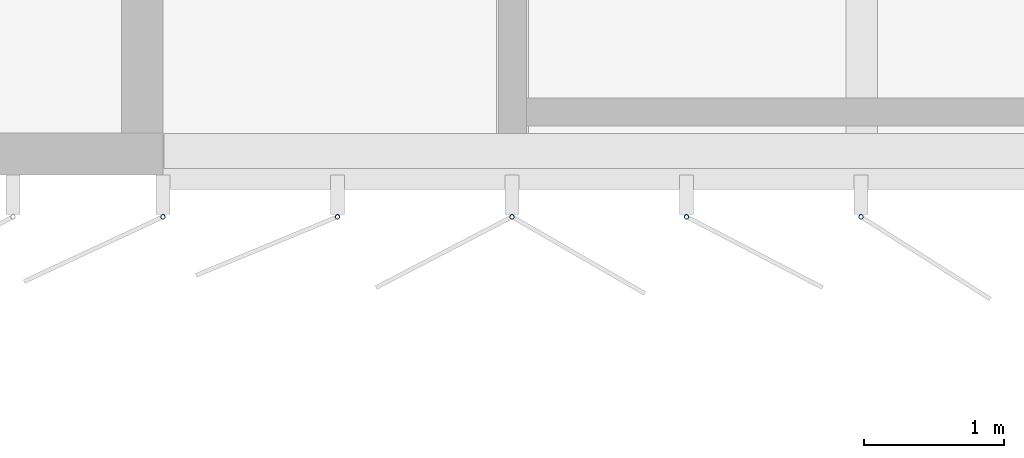
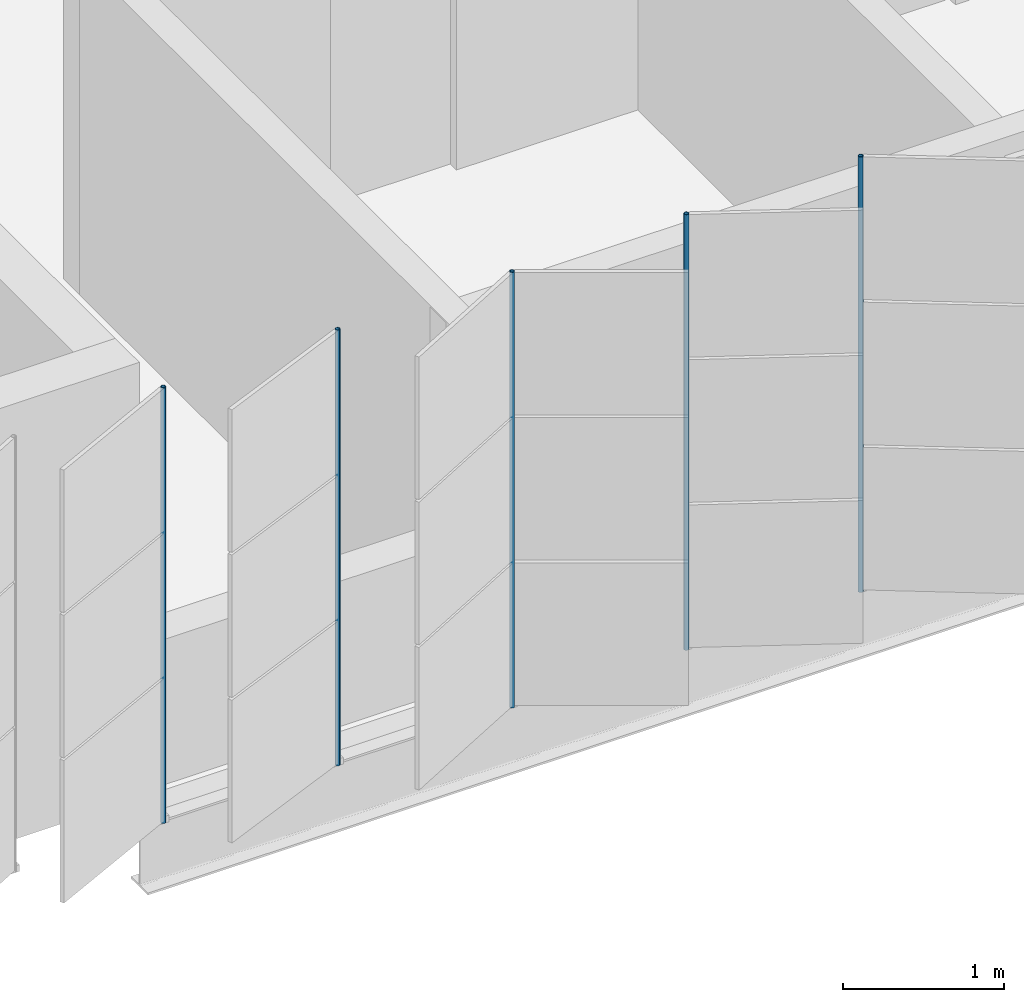
# One storey, part 108 of 199: 5 discrete accessories.
"""IFC4 building model written with IfcOpenShell, lengths in metres."""

from ifc_helpers import new_model, si_unit, direction, frame, origin, origin_2d, place, context, subcontext, project, spatial, hollow_circle, extrude, material, material_profile, profile_set, type_object, element, save


model = new_model("IFC4")

# Units and contexts
model_context = context("Model", 3, precision=1e-05, world=origin(), true_north=direction((0.0, 1.0)))
body_context = subcontext(model_context, "Body", "Model", "MODEL_VIEW")
ifc_project = project(units=[si_unit("LENGTHUNIT", "METRE"), si_unit("AREAUNIT", "SQUARE_METRE"), si_unit("VOLUMEUNIT", "CUBIC_METRE"), si_unit("PLANEANGLEUNIT", "RADIAN"), si_unit("MASSUNIT", "GRAM", prefix="KILO")], contexts=[model_context])

# Site, building, storey
site_placement = place(None, origin())
site = spatial("IfcSite", under=ifc_project, at=site_placement, CompositionType="ELEMENT")
building_placement = place(site_placement, origin())
building = spatial("IfcBuilding", under=site, at=building_placement, Name="Parallax Yard Mobility Hub", CompositionType="ELEMENT")
storey_placement = place(building_placement, frame((0.0, 0.0, 9.89990234375)))
storey = spatial("IfcBuildingStorey", under=building, at=storey_placement, Name="L03", CompositionType="ELEMENT", Elevation=9.89990234375)

# Discrete accessories
ifc_material = material(Name="Steel ASTM A500 Gr C, hot-dip galvanised", Category="steel")
ifc_material_profile = material_profile(ifc_material, hollow_circle(Radius=0.016845703125, WallThickness=0.003173828125, at=origin_2d()), Name="CHS 33.7x3.2")
ifc_profile_set = profile_set([ifc_material_profile], Name="Steel ASTM A500 Gr C, hot-dip galvanised")
discrete_accessory_type = type_object("IfcDiscreteAccessoryType", Name="Hinge post CHS 33.7x3.2", PredefinedType="BRACKET", material=ifc_profile_set)
for number, where, z_axis, x_axis, name in (
    (1, (142.498046875, 112.199951171875, 0.0), (0.0, 0.0, 1.0), (1.0, 0.0, 0.0), "Hinge post bay 14.1 level L03"),
    (2, (143.747314453125, 112.199951171875, 0.0), (0.0, 0.0, 1.0), (1.0, 0.0, 0.0), "Hinge post bay 14.2 level L03"),
    (3, (144.99658203125, 112.199951171875, 0.0), (0.0, 0.0, 1.0), (1.0, 0.0, 0.0), "Hinge post bay 14.3 level L03"),
    (4, (146.245849609375, 112.199951171875, 0.0), (0.0, 0.0, 1.0), (1.0, 0.0, 0.0), "Hinge post bay 14.4 level L03"),
    (5, (147.4951171875, 112.199951171875, 0.0), (0.0, 0.0, 1.0), (1.0, 0.0, 0.0), "Hinge post bay 14.5 level L03"),
):
    element("IfcDiscreteAccessory", number, at=place(storey_placement, frame(where, z_axis=z_axis, x_axis=x_axis)), inside=storey, type_object=discrete_accessory_type, Name=name, PredefinedType="BRACKET", context=body_context, shape_type="SweptSolid", body=[
        extrude(hollow_circle(Radius=0.016845703125, WallThickness=0.003173828125, at=origin_2d()), origin(), (0.0, 0.0, 1.0), 3.300048828125),
    ])

save(model, "model.ifc")
